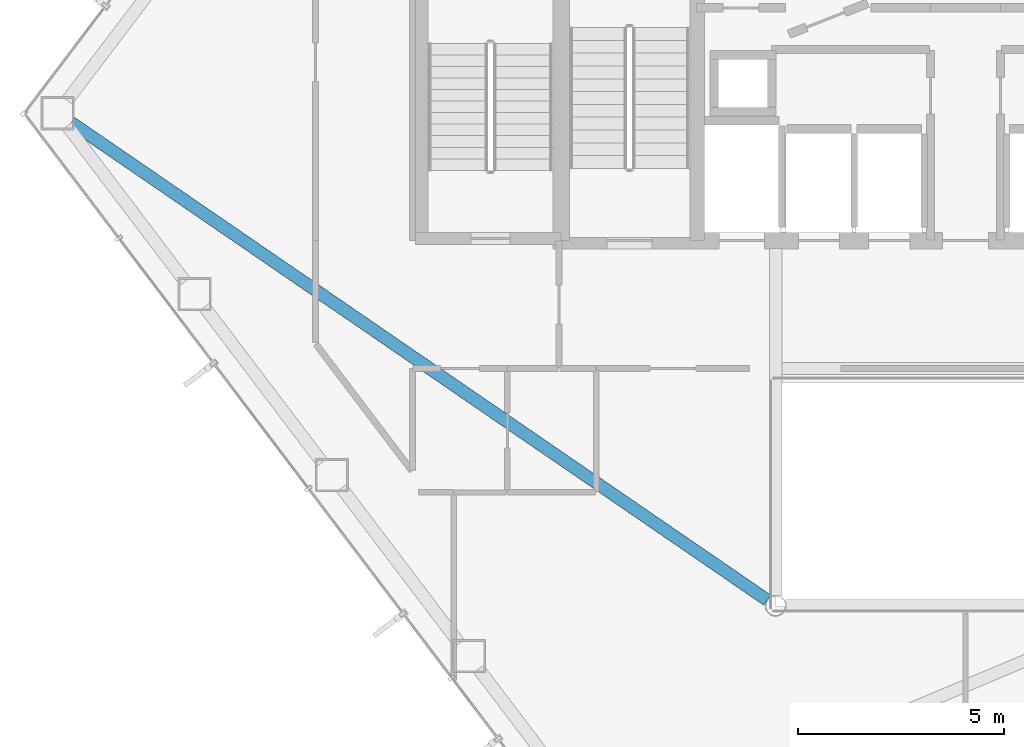
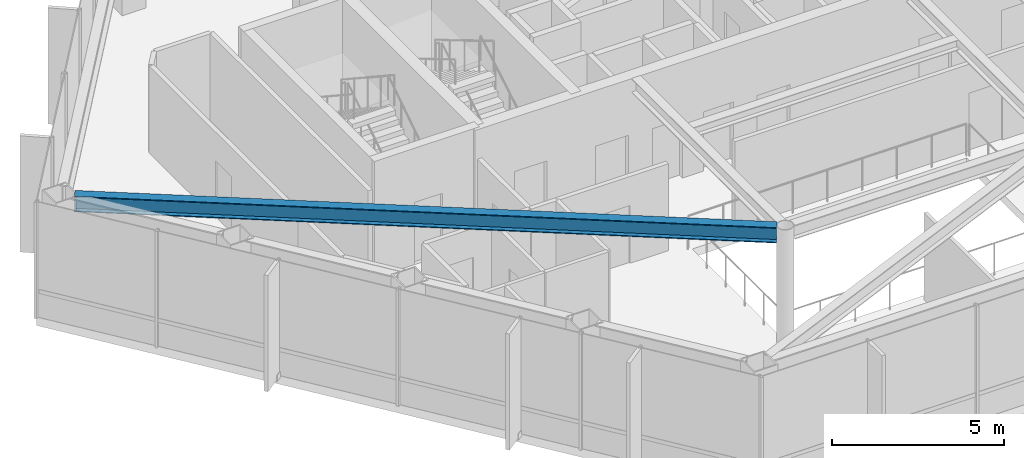
# One storey, part 5 of 27: 1 beam.
"""IFC4 building model written with IfcOpenShell, lengths in metres."""

from ifc_helpers import new_model, si_unit, direction, frame, origin, origin_2d, place, context, subcontext, project, spatial, i_section, extrude, material, material_profile, profile_set, type_object, element, save


model = new_model("IFC4")

# Units and contexts
model_context = context("Model", 3, precision=1e-05, world=origin(), true_north=direction((0.0, 1.0)))
body_context = subcontext(model_context, "Body", "Model", "MODEL_VIEW")
ifc_project = project(units=[si_unit("LENGTHUNIT", "METRE"), si_unit("AREAUNIT", "SQUARE_METRE"), si_unit("VOLUMEUNIT", "CUBIC_METRE"), si_unit("PLANEANGLEUNIT", "RADIAN"), si_unit("MASSUNIT", "GRAM", prefix="KILO")], contexts=[model_context])

# Site, building, storey
site_placement = place(None, origin())
site = spatial("IfcSite", under=ifc_project, at=site_placement, CompositionType="ELEMENT")
building_placement = place(site_placement, origin())
building = spatial("IfcBuilding", under=site, at=building_placement, Name="Zarrinselat Tower", CompositionType="ELEMENT")
storey_placement = place(building_placement, frame((0.0, 0.0, 114.580078125)))
storey = spatial("IfcBuildingStorey", under=building, at=storey_placement, Name="L27", CompositionType="ELEMENT", Elevation=114.580078125)

# Beam
ifc_material = material(Name="Steel S355J2", Category="steel")
ifc_material_profile = material_profile(ifc_material, i_section(OverallWidth=0.300048828125, OverallDepth=0.550048828125, WebThickness=0.014892578125, FlangeThickness=0.029052734375, at=origin_2d()), Name="HEB 550")
ifc_profile_set = profile_set([ifc_material_profile], Name="Steel S355J2")
beam_type = type_object("IfcBeamType", Name="BM-HEB550", PredefinedType="BEAM", material=ifc_profile_set)
beam_placement = place(storey_placement, frame((16.73583984375, 36.107666015625, 3.844970703125), z_axis=(0.824585445526, -0.565737432938, 0.0), x_axis=(0.565737432938, 0.824585445526, 0.0)))
element("IfcBeam", 1, at=beam_placement, inside=storey, type_object=beam_type, Name="L27 Radial Primary Girder RG06", PredefinedType="BEAM", context=body_context, shape_type="SweptSolid", body=[
    extrude(i_section(OverallWidth=0.300048828125, OverallDepth=0.550048828125, WebThickness=0.014892578125, FlangeThickness=0.029052734375, at=origin_2d()), origin(), (0.0, 0.0, 1.0), 20.4443359375),
])

save(model, "model.ifc")
